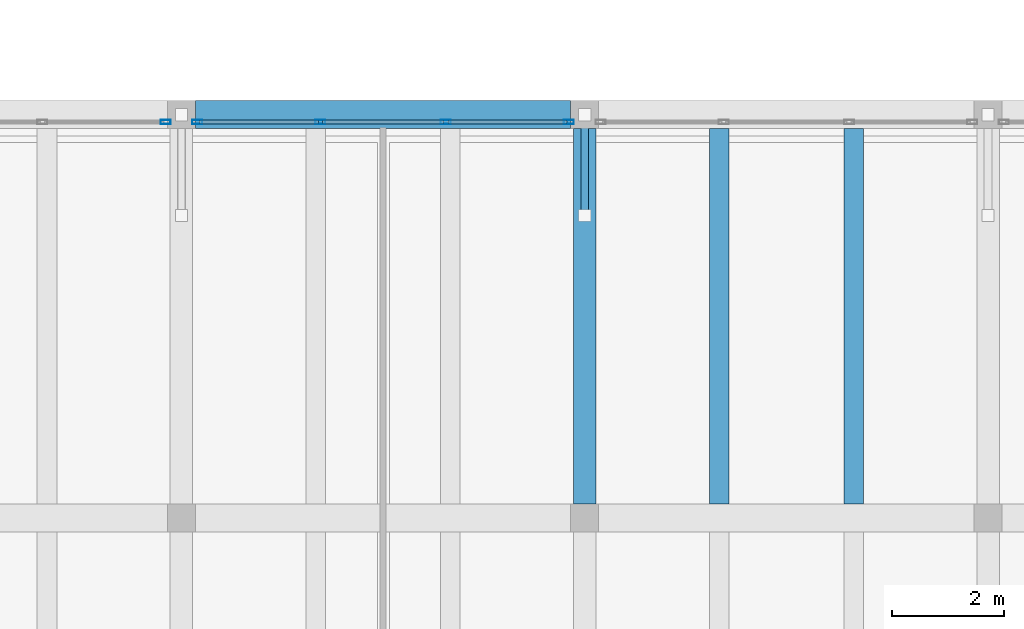
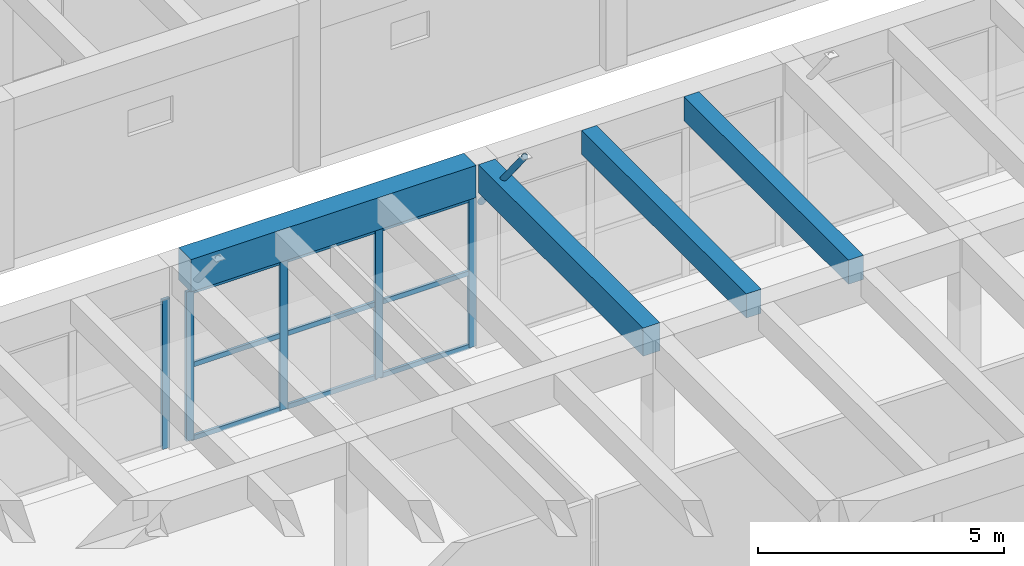
# One storey, part 94 of 153: 15 members, 4 beams, 2 elements without a shape of their own.
"""IFC4 building model written with IfcOpenShell, lengths in metres."""

from ifc_helpers import new_model, si_unit, direction, frame, origin, origin_2d, place, context, subcontext, project, spatial, rectangle, hollow_rectangle, hollow_circle, extrude, material, material_profile, profile_set, type_object, element, aggregate, save


model = new_model("IFC4")

# Units and contexts
model_context = context("Model", 3, precision=1e-05, world=origin(), true_north=direction((0.0, 1.0)))
body_context = subcontext(model_context, "Body", "Model", "MODEL_VIEW")
ifc_project = project(units=[si_unit("LENGTHUNIT", "METRE"), si_unit("AREAUNIT", "SQUARE_METRE"), si_unit("VOLUMEUNIT", "CUBIC_METRE"), si_unit("PLANEANGLEUNIT", "RADIAN"), si_unit("MASSUNIT", "GRAM", prefix="KILO")], contexts=[model_context])

# Site, building, storey
site_placement = place(None, origin())
site = spatial("IfcSite", under=ifc_project, at=site_placement, CompositionType="ELEMENT")
building_placement = place(site_placement, origin())
building = spatial("IfcBuilding", under=site, at=building_placement, Name="Bramvelor Terrace Health Centre", CompositionType="ELEMENT")
storey_placement = place(building_placement, frame((0.0, 0.0, 4.800048828125)))
storey = spatial("IfcBuildingStorey", under=building, at=storey_placement, Name="L02", CompositionType="ELEMENT", Elevation=4.800048828125)

# Beams
ifc_material_1 = material(Name="Concrete C40/50", Category="concrete")
ifc_material_profile_1 = material_profile(ifc_material_1, rectangle(XDim=0.39990234375, YDim=0.699951171875, at=origin_2d()), Name="RC 400x700")
ifc_profile_set_1 = profile_set([ifc_material_profile_1], Name="Concrete C40/50")
beam_type_1 = type_object("IfcBeamType", Name="BM-RC-G700", PredefinedType="BEAM", material=ifc_profile_set_1)
beam_1_placement = place(storey_placement, frame((72.0, 72.25, 4.199951171875), z_axis=(0.0, 1.0, 0.0), x_axis=(-1.0, 0.0, 0.0)))
element("IfcBeam", 1, at=beam_1_placement, inside=storey, type_object=beam_type_1, Name="L02 Floor Girder", PredefinedType="BEAM", context=body_context, shape_type="SweptSolid", body=[
    extrude(rectangle(XDim=0.39990234375, YDim=0.699951171875, at=origin_2d()), origin(), (0.0, 0.0, 1.0), 6.699951171875),
])
ifc_material_2 = material(Name="Concrete C40/50", Category="concrete")
ifc_material_profile_2 = material_profile(ifc_material_2, rectangle(XDim=0.5, YDim=0.800048828125, at=origin_2d()), Name="RC 500x800")
ifc_profile_set_2 = profile_set([ifc_material_profile_2], Name="Concrete C40/50")
beam_type_2 = type_object("IfcBeamType", Name="BM-RC-G800", PredefinedType="BEAM", material=ifc_profile_set_2)
beam_2_placement = place(storey_placement, frame((65.050048828125, 79.199951171875, 4.14990234375), z_axis=(1.0, 0.0, 0.0), x_axis=(0.0, 1.0, 0.0)))
element("IfcBeam", 2, at=beam_2_placement, inside=storey, type_object=beam_type_2, Name="L02 Floor Girder", PredefinedType="BEAM", context=body_context, shape_type="SweptSolid", body=[
    extrude(rectangle(XDim=0.5, YDim=0.800048828125, at=origin_2d()), origin(), (0.0, 0.0, 1.0), 6.699951171875),
])
ifc_material_3 = material(Name="Concrete C40/50", Category="concrete")
ifc_material_profile_3 = material_profile(ifc_material_3, rectangle(XDim=0.35009765625, YDim=0.60009765625, at=origin_2d()), Name="RC 350x600")
ifc_profile_set_3 = profile_set([ifc_material_profile_3], Name="Concrete C40/50")
beam_type_3 = type_object("IfcBeamType", Name="BM-RC-J600", PredefinedType="JOIST", material=ifc_profile_set_3)
for number, where, z_axis, x_axis, name in (
    (3, (74.39990234375, 72.25, 4.25), (0.0, 1.0, 0.0), (-1.0, 0.0, 0.0), "L02 Secondary Floor Joist"),
    (4, (76.800048828125, 72.25, 4.25), (0.0, 1.0, 0.0), (-1.0, 0.0, 0.0), "L02 Secondary Floor Joist"),
):
    element("IfcBeam", number, at=place(storey_placement, frame(where, z_axis=z_axis, x_axis=x_axis)), inside=storey, type_object=beam_type_3, Name=name, PredefinedType="JOIST", context=body_context, shape_type="SweptSolid", body=[
        extrude(rectangle(XDim=0.35009765625, YDim=0.60009765625, at=origin_2d()), origin(), (0.0, 0.0, 1.0), 6.699951171875),
    ])

# Curtain wall, member
ifc_material_4 = material(Name="Anodized aluminium and double low-E glass", Category="aluminium")
curtain_wall_type = type_object("IfcCurtainWallType", Name="CW-SYS-17", PredefinedType="NOTDEFINED", material=ifc_material_4)
curtain_wall_1_placement = place(storey_placement, origin())
curtain_wall_1 = element("IfcCurtainWall", 5, at=curtain_wall_1_placement, inside=storey, type_object=curtain_wall_type, Name="L02 Unitized Curtain Wall 92", PredefinedType="NOTDEFINED")
ifc_material_5 = material(Name="Anodized aluminium 6063-T6", Category="aluminium")
ifc_material_profile_4 = material_profile(ifc_material_5, hollow_rectangle(XDim=0.074951171875, YDim=0.179931640625, WallThickness=0.00341796875, at=origin_2d()), Name="ALU-MUL 75x180x3.5")
ifc_profile_set_4 = profile_set([ifc_material_profile_4], Name="Anodized aluminium 6063-T6")
member_type_1 = type_object("IfcMemberType", Name="CW-MUL-65x180", PredefinedType="MULLION", material=ifc_profile_set_4)
member_1_placement = place(storey_placement, frame((64.517578125, 79.070068359375, 0.0), z_axis=(0.0, 0.0, 1.0), x_axis=(0.0, 1.0, 0.0)))
member_1 = element("IfcMember", 6, at=member_1_placement, type_object=member_type_1, Name="CW-17 mullion 4", PredefinedType="MULLION", context=body_context, shape_type="SweptSolid", body=[
    extrude(hollow_rectangle(XDim=0.074951171875, YDim=0.179931640625, WallThickness=0.00341796875, at=origin_2d()), origin(), (0.0, 0.0, 1.0), 3.7099609375),
])
aggregate(curtain_wall_1, [member_1])

# Curtain wall, members
curtain_wall_2_placement = place(storey_placement, origin())
curtain_wall_2 = element("IfcCurtainWall", 7, at=curtain_wall_2_placement, inside=storey, type_object=curtain_wall_type, Name="L02 Unitized Curtain Wall 93", PredefinedType="NOTDEFINED")
member_2_placement = place(storey_placement, frame((65.08251953125, 79.070068359375, 0.0), z_axis=(0.0, 0.0, 1.0), x_axis=(0.0, 1.0, 0.0)))
member_2 = element("IfcMember", 8, at=member_2_placement, type_object=member_type_1, Name="CW-17 mullion 1", PredefinedType="MULLION", context=body_context, shape_type="SweptSolid", body=[
    extrude(hollow_rectangle(XDim=0.074951171875, YDim=0.179931640625, WallThickness=0.00341796875, at=origin_2d()), origin(), (0.0, 0.0, 1.0), 3.7099609375),
])
member_3_placement = place(storey_placement, frame((67.28173828125, 79.070068359375, 0.0), z_axis=(0.0, 0.0, 1.0), x_axis=(0.0, 1.0, 0.0)))
member_3 = element("IfcMember", 9, at=member_3_placement, type_object=member_type_1, Name="CW-17 mullion 2", PredefinedType="MULLION", context=body_context, shape_type="SweptSolid", body=[
    extrude(hollow_rectangle(XDim=0.074951171875, YDim=0.179931640625, WallThickness=0.00341796875, at=origin_2d()), origin(), (0.0, 0.0, 1.0), 3.7099609375),
])
member_4_placement = place(storey_placement, frame((69.518310546875, 79.070068359375, 0.0), z_axis=(0.0, 0.0, 1.0), x_axis=(0.0, 1.0, 0.0)))
member_4 = element("IfcMember", 10, at=member_4_placement, type_object=member_type_1, Name="CW-17 mullion 3", PredefinedType="MULLION", context=body_context, shape_type="SweptSolid", body=[
    extrude(hollow_rectangle(XDim=0.074951171875, YDim=0.179931640625, WallThickness=0.00341796875, at=origin_2d()), origin(), (0.0, 0.0, 1.0), 3.7099609375),
])
member_5_placement = place(storey_placement, frame((71.717529296875, 79.070068359375, 0.0), z_axis=(0.0, 0.0, 1.0), x_axis=(0.0, 1.0, 0.0)))
member_5 = element("IfcMember", 11, at=member_5_placement, type_object=member_type_1, Name="CW-17 mullion 4", PredefinedType="MULLION", context=body_context, shape_type="SweptSolid", body=[
    extrude(hollow_rectangle(XDim=0.074951171875, YDim=0.179931640625, WallThickness=0.00341796875, at=origin_2d()), origin(), (0.0, 0.0, 1.0), 3.7099609375),
])
ifc_material_6 = material(Name="Anodized aluminium 6063-T6", Category="aluminium")
ifc_material_profile_5 = material_profile(ifc_material_6, hollow_rectangle(XDim=0.06494140625, YDim=0.1201171875, WallThickness=0.0029296875, at=origin_2d()), Name="ALU-TRN 65x120x3.0")
ifc_profile_set_5 = profile_set([ifc_material_profile_5], Name="Anodized aluminium 6063-T6")
member_type_2 = type_object("IfcMemberType", Name="CW-TRN-65x150", PredefinedType="USERDEFINED", material=ifc_profile_set_5)
member_6_placement = place(storey_placement, frame((65.1201171875, 79.070068359375, 0.032470703125), z_axis=(1.0, 0.0, 0.0), x_axis=(0.0, 1.0, 0.0)))
member_6 = element("IfcMember", 12, at=member_6_placement, type_object=member_type_2, Name="CW-17 transom 1.1", ObjectType="TRANSOM", PredefinedType="USERDEFINED", context=body_context, shape_type="SweptSolid", body=[
    extrude(hollow_rectangle(XDim=0.06494140625, YDim=0.1201171875, WallThickness=0.0029296875, at=origin_2d()), origin(), (0.0, 0.0, 1.0), 2.1240234375),
])
member_7_placement = place(storey_placement, frame((65.1201171875, 79.070068359375, 1.85498046875), z_axis=(1.0, 0.0, 0.0), x_axis=(0.0, 1.0, 0.0)))
member_7 = element("IfcMember", 13, at=member_7_placement, type_object=member_type_2, Name="CW-17 transom 1.2", ObjectType="TRANSOM", PredefinedType="USERDEFINED", context=body_context, shape_type="SweptSolid", body=[
    extrude(hollow_rectangle(XDim=0.06494140625, YDim=0.1201171875, WallThickness=0.0029296875, at=origin_2d()), origin(), (0.0, 0.0, 1.0), 2.1240234375),
])
member_8_placement = place(storey_placement, frame((65.1201171875, 79.070068359375, 3.677490234375), z_axis=(1.0, 0.0, 0.0), x_axis=(0.0, 1.0, 0.0)))
member_8 = element("IfcMember", 14, at=member_8_placement, type_object=member_type_2, Name="CW-17 transom 1.3", ObjectType="TRANSOM", PredefinedType="USERDEFINED", context=body_context, shape_type="SweptSolid", body=[
    extrude(hollow_rectangle(XDim=0.06494140625, YDim=0.1201171875, WallThickness=0.0029296875, at=origin_2d()), origin(), (0.0, 0.0, 1.0), 2.1240234375),
])
member_9_placement = place(storey_placement, frame((67.319091796875, 79.070068359375, 0.032470703125), z_axis=(1.0, 0.0, 0.0), x_axis=(0.0, 1.0, 0.0)))
member_9 = element("IfcMember", 15, at=member_9_placement, type_object=member_type_2, Name="CW-17 transom 2.1", ObjectType="TRANSOM", PredefinedType="USERDEFINED", context=body_context, shape_type="SweptSolid", body=[
    extrude(hollow_rectangle(XDim=0.06494140625, YDim=0.1201171875, WallThickness=0.0029296875, at=origin_2d()), origin(), (0.0, 0.0, 1.0), 2.16162109375),
])
member_10_placement = place(storey_placement, frame((67.319091796875, 79.070068359375, 1.85498046875), z_axis=(1.0, 0.0, 0.0), x_axis=(0.0, 1.0, 0.0)))
member_10 = element("IfcMember", 16, at=member_10_placement, type_object=member_type_2, Name="CW-17 transom 2.2", ObjectType="TRANSOM", PredefinedType="USERDEFINED", context=body_context, shape_type="SweptSolid", body=[
    extrude(hollow_rectangle(XDim=0.06494140625, YDim=0.1201171875, WallThickness=0.0029296875, at=origin_2d()), origin(), (0.0, 0.0, 1.0), 2.16162109375),
])
member_11_placement = place(storey_placement, frame((67.319091796875, 79.070068359375, 3.677490234375), z_axis=(1.0, 0.0, 0.0), x_axis=(0.0, 1.0, 0.0)))
member_11 = element("IfcMember", 17, at=member_11_placement, type_object=member_type_2, Name="CW-17 transom 2.3", ObjectType="TRANSOM", PredefinedType="USERDEFINED", context=body_context, shape_type="SweptSolid", body=[
    extrude(hollow_rectangle(XDim=0.06494140625, YDim=0.1201171875, WallThickness=0.0029296875, at=origin_2d()), origin(), (0.0, 0.0, 1.0), 2.16162109375),
])
member_12_placement = place(storey_placement, frame((69.555908203125, 79.070068359375, 0.032470703125), z_axis=(1.0, 0.0, 0.0), x_axis=(0.0, 1.0, 0.0)))
member_12 = element("IfcMember", 18, at=member_12_placement, type_object=member_type_2, Name="CW-17 transom 3.1", ObjectType="TRANSOM", PredefinedType="USERDEFINED", context=body_context, shape_type="SweptSolid", body=[
    extrude(hollow_rectangle(XDim=0.06494140625, YDim=0.1201171875, WallThickness=0.0029296875, at=origin_2d()), origin(), (0.0, 0.0, 1.0), 2.1240234375),
])
member_13_placement = place(storey_placement, frame((69.555908203125, 79.070068359375, 1.85498046875), z_axis=(1.0, 0.0, 0.0), x_axis=(0.0, 1.0, 0.0)))
member_13 = element("IfcMember", 19, at=member_13_placement, type_object=member_type_2, Name="CW-17 transom 3.2", ObjectType="TRANSOM", PredefinedType="USERDEFINED", context=body_context, shape_type="SweptSolid", body=[
    extrude(hollow_rectangle(XDim=0.06494140625, YDim=0.1201171875, WallThickness=0.0029296875, at=origin_2d()), origin(), (0.0, 0.0, 1.0), 2.1240234375),
])
member_14_placement = place(storey_placement, frame((69.555908203125, 79.070068359375, 3.677490234375), z_axis=(1.0, 0.0, 0.0), x_axis=(0.0, 1.0, 0.0)))
member_14 = element("IfcMember", 20, at=member_14_placement, type_object=member_type_2, Name="CW-17 transom 3.3", ObjectType="TRANSOM", PredefinedType="USERDEFINED", context=body_context, shape_type="SweptSolid", body=[
    extrude(hollow_rectangle(XDim=0.06494140625, YDim=0.1201171875, WallThickness=0.0029296875, at=origin_2d()), origin(), (0.0, 0.0, 1.0), 2.1240234375),
])
aggregate(curtain_wall_2, [member_2, member_3, member_4, member_5, member_6, member_7, member_8, member_9, member_10, member_11, member_12, member_13, member_14])

# Member
ifc_material_7 = material(Name="Steel S355J2", Category="steel")
ifc_material_profile_6 = material_profile(ifc_material_7, hollow_circle(Radius=0.06982421875, WallThickness=0.0048828125, at=origin_2d()), Name="CHS 139.7x5.0")
ifc_profile_set_6 = profile_set([ifc_material_profile_6], Name="Steel S355J2")
member_type_3 = type_object("IfcMemberType", Name="MEM-STL-CHS139", PredefinedType="STRUT", material=ifc_profile_set_6)
member_15_placement = place(storey_placement, frame((72.0, 79.199951171875, 3.39990234375), z_axis=(0.0, -0.62952484871, 0.776980350367), x_axis=(1.0, 0.0, 0.0)))
element("IfcMember", 21, at=member_15_placement, inside=storey, type_object=member_type_3, Name="Waiting Hall Storm-Eave Knee Strut N5", PredefinedType="STRUT", context=body_context, shape_type="SweptSolid", body=[
    extrude(hollow_circle(Radius=0.06982421875, WallThickness=0.0048828125, at=origin_2d()), origin(), (0.0, 0.0, 1.0), 2.859375),
])

save(model, "model.ifc")
